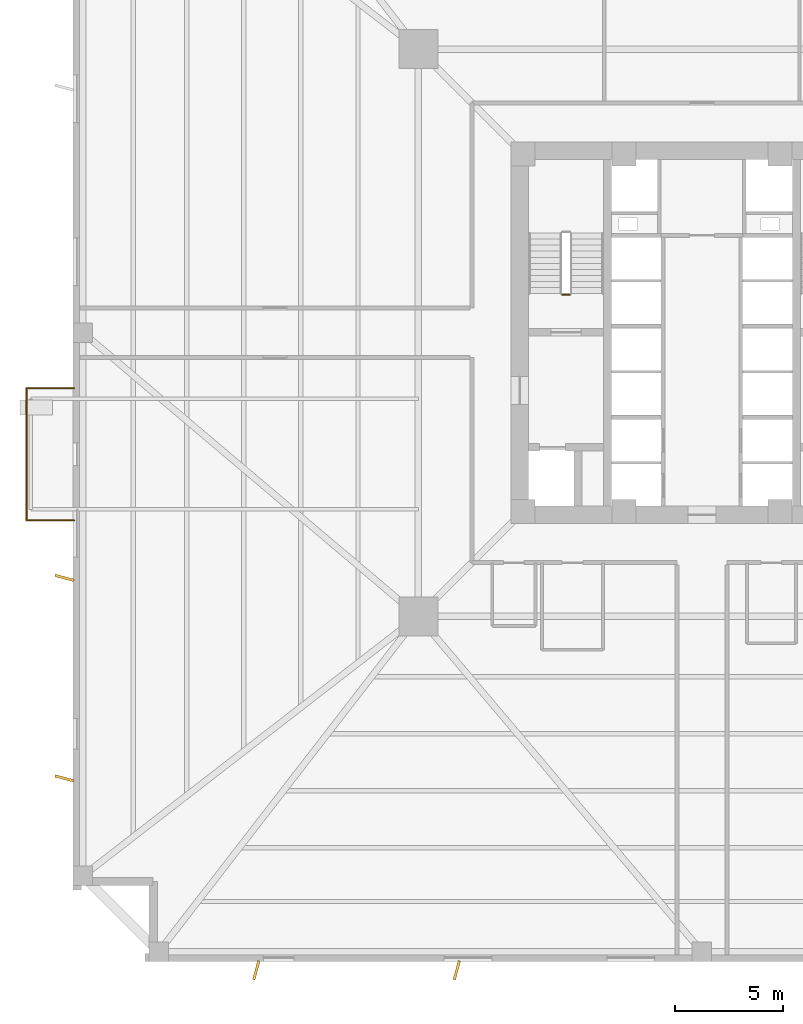
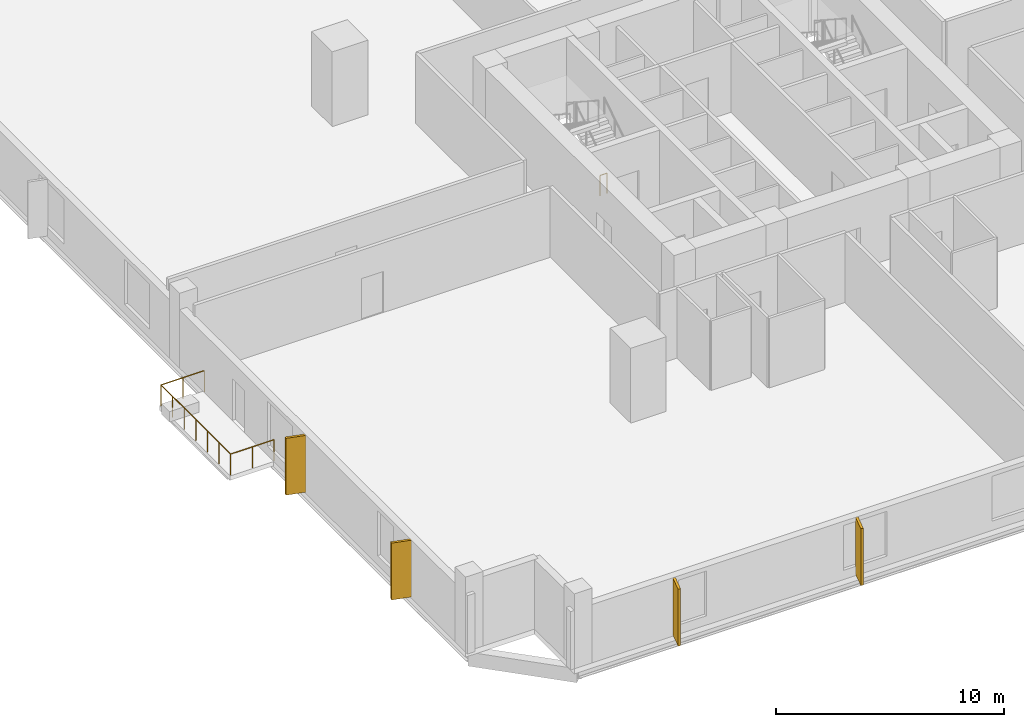
# One storey, part 5 of 8: 4 coverings, 4 railings.
"""IFC4 building model written with IfcOpenShell, lengths in metres."""

from ifc_helpers import new_model, si_unit, direction, frame, origin, origin_2d, place, context, subcontext, project, spatial, rectangle, circle, extrude, source, transform, mapped, material, layer, layer_set, type_object, element, save


model = new_model("IFC4")

# Units and contexts
model_context = context("Model", 3, precision=1e-05, world=origin(), true_north=direction((0.0, 1.0)))
body_context = subcontext(model_context, "Body", "Model", "MODEL_VIEW")
ifc_project = project(units=[si_unit("LENGTHUNIT", "METRE"), si_unit("AREAUNIT", "SQUARE_METRE"), si_unit("VOLUMEUNIT", "CUBIC_METRE"), si_unit("PLANEANGLEUNIT", "RADIAN"), si_unit("MASSUNIT", "GRAM", prefix="KILO"), si_unit("THERMODYNAMICTEMPERATUREUNIT", "KELVIN")], contexts=[model_context])

# Site, building, storey
site_placement = place(None, origin())
site = spatial("IfcSite", under=ifc_project, at=site_placement, CompositionType="ELEMENT")
building_placement = place(site_placement, origin())
building = spatial("IfcBuilding", under=site, at=building_placement, Name="Kosmvard Interchange Tower", CompositionType="ELEMENT")
storey_placement = place(building_placement, frame((0.0, 0.0, 34.0)))
storey = spatial("IfcBuildingStorey", under=building, at=storey_placement, Name="L07", CompositionType="ELEMENT", Elevation=34.0)

# Coverings
ifc_material_1 = material(Name="Architectural anodised aluminium", Category="aluminium")
ifc_layer = layer(ifc_material_1, 0.1201171875, Name="Architectural anodised aluminium")
ifc_layer_set = layer_set([ifc_layer], Name="Architectural anodised aluminium")
covering_type = type_object("IfcCoveringType", Name="Rotating Vertical Sun-Breaker Fin 900x120 Aluminium", PredefinedType="CLADDING", material=ifc_layer_set)
shared_shape_1 = source(origin(), body_context, "Body", "SweptSolid", [
    extrude(rectangle(XDim=0.89990234375, YDim=0.1201171875, at=origin_2d()), origin(), (0.0, 0.0, 1.0), 3.0400390625),
])
for number, where, z_axis, x_axis, name in (
    (1, (-20.552001953125, -29.39990234375, 0.0400390625), (0.0, 0.0, 1.0), (-0.260504508643, -0.965472630879, 0.0), "L07 Rotating Vertical Sun-Breaker Fin 01"),
    (2, (-11.3037109375, -29.39990234375, 0.0400390625), (0.0, 0.0, 1.0), (-0.260504508643, -0.965472630879, 0.0), "L07 Rotating Vertical Sun-Breaker Fin 02"),
    (3, (-29.39990234375, -11.3037109375, 0.0400390625), (0.0, 0.0, 1.0), (-0.965472630879, 0.260504508643, 0.0), "L07 Rotating Vertical Sun-Breaker Fin 15"),
    (4, (-29.39990234375, -20.552001953125, 0.0400390625), (0.0, 0.0, 1.0), (-0.965472630879, 0.260504508643, 0.0), "L07 Rotating Vertical Sun-Breaker Fin 16"),
):
    element("IfcCovering", number, at=place(storey_placement, frame(where, z_axis=z_axis, x_axis=x_axis)), inside=storey, type_object=covering_type, Name=name, PredefinedType="CLADDING", context=body_context, shape_type="MappedRepresentation", body=[
        mapped(shared_shape_1, transform((0.0, 0.0, 0.0), scale=1.0)),
    ])

# Railings
ifc_material_2 = material(Name="Steel S355", Category="steel")
railing_type_1 = type_object("IfcRailingType", Name="Observation & Balcony Glass-Infill Balustrade 1150", PredefinedType="BALUSTRADE", material=ifc_material_2)
shared_shape_2 = source(origin(), body_context, "Body", "SweptSolid", [
    extrude(circle(Radius=0.02392578125, at=origin_2d()), frame((0.0, 0.0, 1.1259765625), z_axis=(1.0, 0.0, 0.0), x_axis=(0.0, 1.0, 0.0)), (0.0, 0.0, 1.0), 2.199951171875),
    extrude(circle(Radius=0.02099609375, at=origin_2d()), origin(), (0.0, 0.0, 1.0), 1.101806640625),
    extrude(circle(Radius=0.02099609375, at=origin_2d()), frame((1.10009765625, 0.0, 0.0)), (0.0, 0.0, 1.0), 1.101806640625),
    extrude(circle(Radius=0.02099609375, at=origin_2d()), frame((2.199951171875, 0.0, 0.0)), (0.0, 0.0, 1.0), 1.101806640625),
])
railing_1_placement = place(storey_placement, frame((-31.14990234375, -8.64990234375, 0.0)))
element("IfcRailing", 5, at=railing_1_placement, inside=storey, type_object=railing_type_1, Name="L07 Outdoor Terrace Guard BAL-L07-W-C", PredefinedType="BALUSTRADE", context=body_context, shape_type="MappedRepresentation", body=[
    mapped(shared_shape_2, transform((0.0, 0.0, 0.0), scale=1.0)),
])
shared_shape_3 = source(origin(), body_context, "Body", "SweptSolid", [
    extrude(circle(Radius=0.02392578125, at=origin_2d()), frame((0.0, 0.0, 1.1259765625), z_axis=(-1.0, 0.0, 0.0), x_axis=(0.0, -1.0, 0.0)), (0.0, 0.0, 1.0), 2.199951171875),
    extrude(circle(Radius=0.02099609375, at=origin_2d()), origin(), (0.0, 0.0, 1.0), 1.101806640625),
    extrude(circle(Radius=0.02099609375, at=origin_2d()), frame((-1.10009765625, 0.0, 0.0)), (0.0, 0.0, 1.0), 1.101806640625),
    extrude(circle(Radius=0.02099609375, at=origin_2d()), frame((-2.199951171875, 0.0, 0.0)), (0.0, 0.0, 1.0), 1.101806640625),
])
railing_2_placement = place(storey_placement, frame((-28.949951171875, -2.550048828125, 0.0)))
element("IfcRailing", 6, at=railing_2_placement, inside=storey, type_object=railing_type_1, Name="L07 Outdoor Terrace Guard BAL-L07-W-A", PredefinedType="BALUSTRADE", context=body_context, shape_type="MappedRepresentation", body=[
    mapped(shared_shape_3, transform((0.0, 0.0, 0.0), scale=1.0)),
])
shared_shape_4 = source(origin(), body_context, "Body", "SweptSolid", [
    extrude(circle(Radius=0.02392578125, at=origin_2d()), frame((0.0, 0.0, 1.1259765625), z_axis=(0.0, -1.0, 0.0), x_axis=(1.0, 0.0, 0.0)), (0.0, 0.0, 1.0), 6.099853515625),
    extrude(circle(Radius=0.02099609375, at=origin_2d()), origin(), (0.0, 0.0, 1.0), 1.101806640625),
    extrude(circle(Radius=0.02099609375, at=origin_2d()), frame((0.0, -1.0166015625, 0.0)), (0.0, 0.0, 1.0), 1.101806640625),
    extrude(circle(Radius=0.02099609375, at=origin_2d()), frame((0.0, -2.033203125, 0.0)), (0.0, 0.0, 1.0), 1.101806640625),
    extrude(circle(Radius=0.02099609375, at=origin_2d()), frame((0.0, -3.0498046875, 0.0)), (0.0, 0.0, 1.0), 1.101806640625),
    extrude(circle(Radius=0.02099609375, at=origin_2d()), frame((0.0, -4.066650390625, 0.0)), (0.0, 0.0, 1.0), 1.101806640625),
    extrude(circle(Radius=0.02099609375, at=origin_2d()), frame((0.0, -5.083251953125, 0.0)), (0.0, 0.0, 1.0), 1.101806640625),
    extrude(circle(Radius=0.02099609375, at=origin_2d()), frame((0.0, -6.099853515625, 0.0)), (0.0, 0.0, 1.0), 1.101806640625),
])
railing_3_placement = place(storey_placement, frame((-31.14990234375, -2.550048828125, 0.0)))
element("IfcRailing", 7, at=railing_3_placement, inside=storey, type_object=railing_type_1, Name="L07 Outdoor Terrace Guard BAL-L07-W-B", PredefinedType="BALUSTRADE", context=body_context, shape_type="MappedRepresentation", body=[
    mapped(shared_shape_4, transform((0.0, 0.0, 0.0), scale=1.0)),
])
railing_type_2 = type_object("IfcRailingType", Name="Stair & Terrace Safety Guardrail 1100 Steel", PredefinedType="GUARDRAIL", material=ifc_material_2)
shared_shape_5 = source(origin(), body_context, "Body", "SweptSolid", [
    extrude(circle(Radius=0.02392578125, at=origin_2d()), frame((0.0, 0.0, 1.076171875), z_axis=(-1.0, 0.0, 0.0), x_axis=(0.0, -1.0, 0.0)), (0.0, 0.0, 1.0), 0.35986328125),
    extrude(circle(Radius=0.02099609375, at=origin_2d()), origin(), (0.0, 0.0, 1.0), 1.052001953125),
    extrude(circle(Radius=0.02099609375, at=origin_2d()), frame((-0.35986328125, 0.0, 0.0)), (0.0, 0.0, 1.0), 1.052001953125),
])
railing_4_placement = place(storey_placement, frame((-6.090087890625, 1.75, 0.0)))
element("IfcRailing", 8, at=railing_4_placement, inside=storey, type_object=railing_type_2, Name="L07 ST-1 stair guard 4", PredefinedType="GUARDRAIL", context=body_context, shape_type="MappedRepresentation", body=[
    mapped(shared_shape_5, transform((0.0, 0.0, 0.0), scale=1.0)),
])

save(model, "model.ifc")
